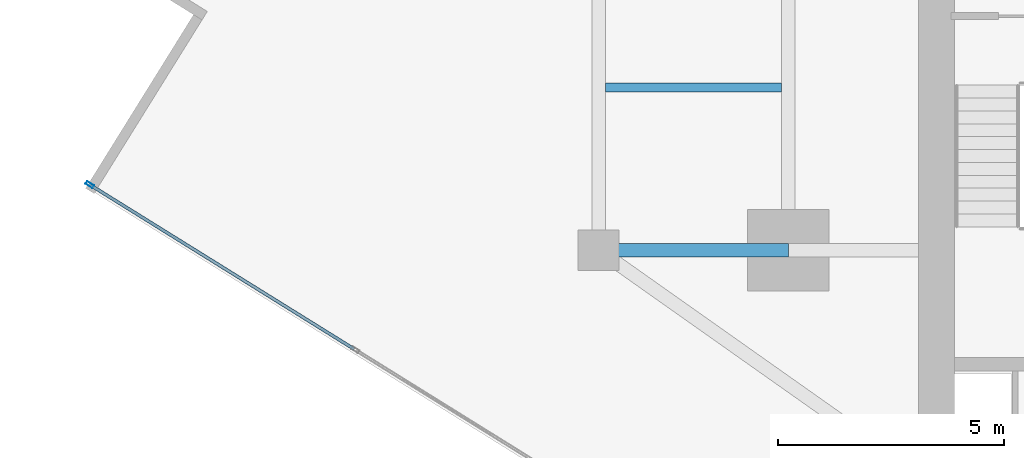
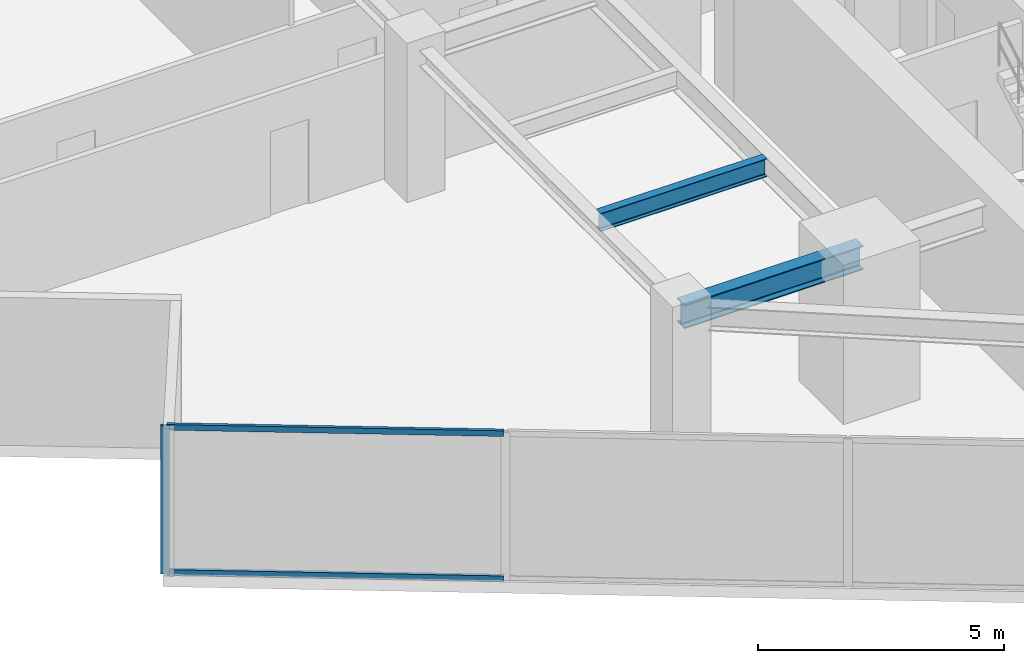
# One storey, part 5 of 25: 3 members, 2 beams, 1 element without a shape of its own.
"""IFC4 building model written with IfcOpenShell, lengths in metres."""

from ifc_helpers import new_model, si_unit, direction, frame, origin, origin_2d, place, context, subcontext, project, spatial, hollow_rectangle, i_section, extrude, source, transform, mapped, material, material_profile, profile_set, type_object, type_shapes, element, aggregate, save


model = new_model("IFC4")

# Units and contexts
model_context = context("Model", 3, precision=1e-05, world=origin(), true_north=direction((0.0, 1.0)))
body_context = subcontext(model_context, "Body", "Model", "MODEL_VIEW")
ifc_project = project(units=[si_unit("LENGTHUNIT", "METRE"), si_unit("AREAUNIT", "SQUARE_METRE"), si_unit("VOLUMEUNIT", "CUBIC_METRE"), si_unit("PLANEANGLEUNIT", "RADIAN"), si_unit("MASSUNIT", "GRAM", prefix="KILO")], contexts=[model_context])

# Site, building, storey
site_placement = place(None, origin())
site = spatial("IfcSite", under=ifc_project, at=site_placement, CompositionType="ELEMENT")
building_placement = place(site_placement, origin())
building = spatial("IfcBuilding", under=site, at=building_placement, Name="Krantzveldt Concourse Tower", CompositionType="ELEMENT")
storey_placement = place(building_placement, frame((0.0, 0.0, 177.800048828125)))
storey = spatial("IfcBuildingStorey", under=building, at=storey_placement, Name="L43", CompositionType="ELEMENT", Elevation=177.800048828125)

# Beams
ifc_material_1 = material(Name="Steel S355JR", Category="steel")
ifc_material_profile_1 = material_profile(ifc_material_1, i_section(OverallWidth=0.300048828125, OverallDepth=0.590087890625, WebThickness=0.012939453125, FlangeThickness=0.02490234375, FilletRadius=0.027099609375, at=origin_2d()), Name="Steel S355JR", Category="steel")
ifc_profile_set_1 = profile_set([ifc_material_profile_1], Name="Steel S355JR - HEA 600")
beam_type_1 = type_object("IfcBeamType", Name="BM-B-HEA600", PredefinedType="BEAM", material=ifc_profile_set_1)
shared_shape_1 = source(origin(), body_context, "Body", "SweptSolid", [
    extrude(i_section(OverallWidth=0.300048828125, OverallDepth=0.590087890625, WebThickness=0.012939453125, FlangeThickness=0.02490234375, FilletRadius=0.027099609375, at=origin_2d()), origin(), (0.0, 0.0, 1.0), 4.199951171875),
])
type_shapes(beam_type_1, [shared_shape_1])
beam_1_placement = place(storey_placement, frame((21.0, 15.89990234375, 3.375), z_axis=(1.0, 0.0, 0.0), x_axis=(0.0, 1.0, 0.0)))
element("IfcBeam", 1, at=beam_1_placement, inside=storey, type_object=beam_type_1, Name="L43 Tower Girder BR-RL1", PredefinedType="BEAM", context=body_context, shape_type="MappedRepresentation", body=[
    mapped(shared_shape_1, transform((0.0, 0.0, 0.0), x_axis=(1.0, 0.0, 0.0), y_axis=(0.0, 1.0, 0.0), z_axis=(0.0, 0.0, 1.0), scale=1.0)),
])
ifc_material_profile_2 = material_profile(ifc_material_1, i_section(OverallWidth=0.18994140625, OverallDepth=0.449951171875, WebThickness=0.009521484375, FlangeThickness=0.0146484375, FilletRadius=0.02099609375, at=origin_2d()), Name="Steel S355JR", Category="steel")
ifc_profile_set_2 = profile_set([ifc_material_profile_2], Name="Steel S355JR - IPE 450")
beam_type_2 = type_object("IfcBeamType", Name="BM-J-IPE450", PredefinedType="JOIST", material=ifc_profile_set_2)
shared_shape_2 = source(origin(), body_context, "Body", "SweptSolid", [
    extrude(i_section(OverallWidth=0.18994140625, OverallDepth=0.449951171875, WebThickness=0.009521484375, FlangeThickness=0.0146484375, FilletRadius=0.02099609375, at=origin_2d()), origin(), (0.0, 0.0, 1.0), 3.900146484375),
])
type_shapes(beam_type_2, [shared_shape_2])
beam_2_placement = place(storey_placement, frame((21.14990234375, 19.5, 3.445068359375), z_axis=(1.0, 0.0, 0.0), x_axis=(0.0, 1.0, 0.0)))
element("IfcBeam", 2, at=beam_2_placement, inside=storey, type_object=beam_type_2, Name="L43 Secondary Floor Joist JW-1", PredefinedType="JOIST", context=body_context, shape_type="MappedRepresentation", body=[
    mapped(shared_shape_2, transform((0.0, 0.0, 0.0), x_axis=(1.0, 0.0, 0.0), y_axis=(0.0, 1.0, 0.0), z_axis=(0.0, 0.0, 1.0), scale=1.0)),
])

# Curtain wall, members
ifc_material_2 = material(Name="Anodised aluminium 6063-T6", Category="aluminium")
curtain_wall_type = type_object("IfcCurtainWallType", Name="CW3", PredefinedType="USERDEFINED", material=ifc_material_2)
curtain_wall_placement = place(storey_placement, origin())
curtain_wall = element("IfcCurtainWall", 3, at=curtain_wall_placement, inside=storey, type_object=curtain_wall_type, Name="CW-L43-F04", ObjectType="UNITISED CURTAIN WALL", PredefinedType="USERDEFINED")
ifc_material_profile_3 = material_profile(ifc_material_2, hollow_rectangle(XDim=0.070068359375, YDim=0.179931640625, WallThickness=0.0048828125, at=origin_2d()), Name="Anodised aluminium 6063-T6", Category="aluminium")
ifc_profile_set_3 = profile_set([ifc_material_profile_3], Name="Anodised aluminium 6063-T6 - ALU-MULL 180x70x5")
member_type_1 = type_object("IfcMemberType", Name="CW-MUL-180", PredefinedType="MULLION", material=ifc_profile_set_3)
shared_shape_3 = source(origin(), body_context, "Body", "SweptSolid", [
    extrude(hollow_rectangle(XDim=0.070068359375, YDim=0.179931640625, WallThickness=0.0048828125, at=origin_2d()), origin(), (0.0, 0.0, 1.0), 3.669921875),
])
type_shapes(member_type_1, [shared_shape_3])
member_1_placement = place(storey_placement, frame((9.736572265625, 17.348876953125, 0.0), z_axis=(0.0, 0.0, 1.0), x_axis=(0.528067901977, 0.84920214961, 0.0)))
member_1 = element("IfcMember", 4, at=member_1_placement, type_object=member_type_1, Name="CW-Z34 mullion 1", PredefinedType="MULLION", context=body_context, shape_type="MappedRepresentation", body=[
    mapped(shared_shape_3, transform((0.0, 0.0, 0.0), x_axis=(1.0, 0.0, 0.0), y_axis=(0.0, 1.0, 0.0), z_axis=(0.0, 0.0, 1.0), scale=1.0)),
])
ifc_material_profile_4 = material_profile(ifc_material_2, hollow_rectangle(XDim=0.070068359375, YDim=0.139892578125, WallThickness=0.0048828125, at=origin_2d()), Name="Anodised aluminium 6063-T6", Category="aluminium")
ifc_profile_set_4 = profile_set([ifc_material_profile_4], Name="Anodised aluminium 6063-T6 - ALU-TRAN 140x70x5")
member_type_2 = type_object("IfcMemberType", Name="CW-TRN-150", PredefinedType="USERDEFINED", material=ifc_profile_set_4)
shared_shape_4 = source(origin(), body_context, "Body", "SweptSolid", [
    extrude(hollow_rectangle(XDim=0.070068359375, YDim=0.139892578125, WallThickness=0.0048828125, at=origin_2d()), origin(), (0.0, 0.0, 1.0), 6.85498046875),
])
type_shapes(member_type_2, [shared_shape_4])
member_2_placement = place(storey_placement, frame((9.76611328125, 17.330322265625, 0.034912109375), z_axis=(0.849204609246, -0.52806394654, 0.0), x_axis=(0.52806394654, 0.849204609246, 0.0)))
member_2 = element("IfcMember", 5, at=member_2_placement, type_object=member_type_2, Name="CW-Z34 transom 1.1", ObjectType="TRANSOM", PredefinedType="USERDEFINED", context=body_context, shape_type="MappedRepresentation", body=[
    mapped(shared_shape_4, transform((0.0, 0.0, 0.0), x_axis=(1.0, 0.0, 0.0), y_axis=(0.0, 1.0, 0.0), z_axis=(0.0, 0.0, 1.0), scale=1.0)),
])
member_3_placement = place(storey_placement, frame((9.76611328125, 17.330322265625, 3.635009765625), z_axis=(0.849204609246, -0.52806394654, 0.0), x_axis=(0.52806394654, 0.849204609246, 0.0)))
member_3 = element("IfcMember", 6, at=member_3_placement, type_object=member_type_2, Name="CW-Z34 transom 1.2", ObjectType="TRANSOM", PredefinedType="USERDEFINED", context=body_context, shape_type="MappedRepresentation", body=[
    mapped(shared_shape_4, transform((0.0, 0.0, 0.0), x_axis=(1.0, 0.0, 0.0), y_axis=(0.0, 1.0, 0.0), z_axis=(0.0, 0.0, 1.0), scale=1.0)),
])
aggregate(curtain_wall, [member_1, member_2, member_3])

save(model, "model.ifc")
